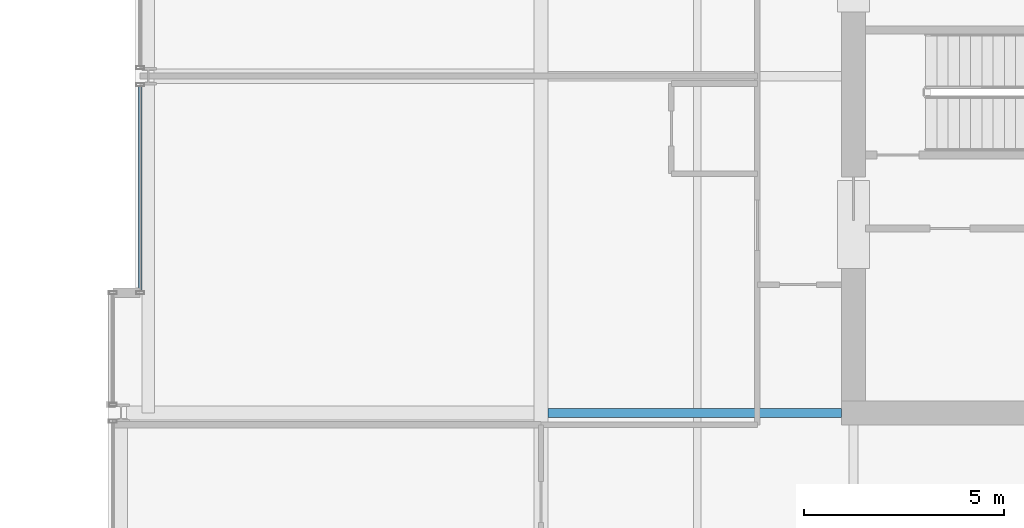
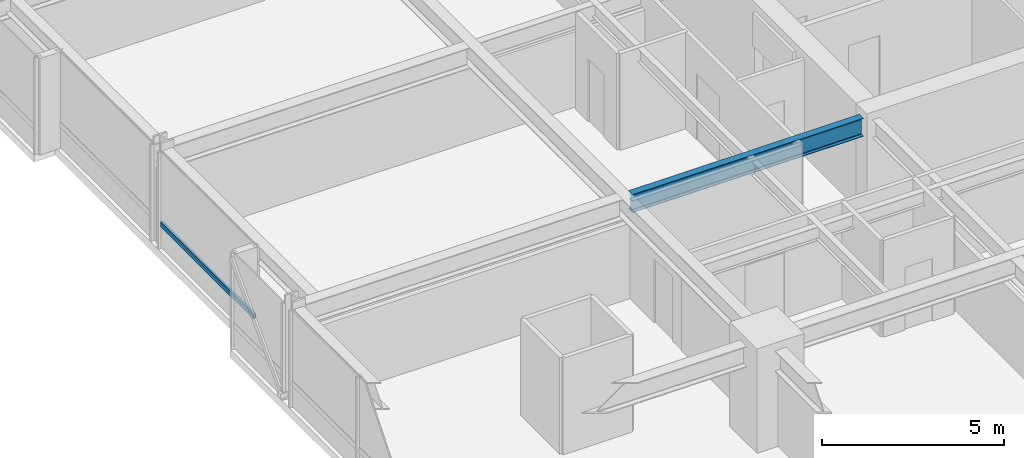
# One storey, part 8 of 34: 1 beam, 1 member, 1 element without a shape of its own.
"""IFC4 building model written with IfcOpenShell, lengths in metres."""

from ifc_helpers import new_model, si_unit, direction, frame, origin, origin_2d, place, context, subcontext, project, spatial, hollow_rectangle, i_section, extrude, material, layer, layer_set, material_profile, profile_set, type_object, element, aggregate, save


model = new_model("IFC4")

# Units and contexts
model_context = context("Model", 3, precision=1e-05, world=origin(), true_north=direction((0.0, 1.0)))
body_context = subcontext(model_context, "Body", "Model", "MODEL_VIEW")
ifc_project = project(units=[si_unit("LENGTHUNIT", "METRE"), si_unit("AREAUNIT", "SQUARE_METRE"), si_unit("VOLUMEUNIT", "CUBIC_METRE"), si_unit("PLANEANGLEUNIT", "RADIAN"), si_unit("MASSUNIT", "GRAM", prefix="KILO")], contexts=[model_context])

# Site, building, storey
site_placement = place(None, origin())
site = spatial("IfcSite", under=ifc_project, at=site_placement, CompositionType="ELEMENT")
building_placement = place(site_placement, origin())
building = spatial("IfcBuilding", under=site, at=building_placement, Name="Drelvath Grand Hotel", CompositionType="ELEMENT")
storey_placement = place(building_placement, frame((0.0, 0.0, 126.800048828125)))
storey = spatial("IfcBuildingStorey", under=building, at=storey_placement, Name="L32", CompositionType="ELEMENT", Elevation=126.800048828125)

# Curtain wall, member
ifc_material_1 = material(Name="Champagne Bronze Anodised Aluminium Frame", Category="aluminium")
ifc_layer = layer(ifc_material_1, 0.199951171875)
ifc_layer_set = layer_set([ifc_layer], Name="Champagne Bronze Anodised Aluminium Frame")
curtain_wall_type = type_object("IfcCurtainWallType", Name="Stick Curtain Wall CW-03 Champagne Bronze Mid-Rise", PredefinedType="NOTDEFINED", material=ifc_layer_set)
curtain_wall_placement = place(storey_placement, origin())
curtain_wall = element("IfcCurtainWall", 1, at=curtain_wall_placement, inside=storey, type_object=curtain_wall_type, Name="L32 CW-03 Curtain Wall CW03-L32-WM1", PredefinedType="NOTDEFINED")
ifc_material_profile_1 = material_profile(ifc_material_1, hollow_rectangle(XDim=0.074951171875, YDim=0.179931640625, WallThickness=0.0048828125, at=origin_2d()), Name="HSS180X75X5")
ifc_profile_set_1 = profile_set([ifc_material_profile_1], Name="Champagne Bronze Anodised Aluminium Frame")
member_type = type_object("IfcMemberType", Name="Curtain Wall Horizontal Transom CW-03 HSS180X75X5", PredefinedType="USERDEFINED", material=ifc_profile_set_1)
member_placement = place(storey_placement, frame((-26.199951171875, 21.639892578125, 0.81005859375), z_axis=(0.0, 1.0, 0.0), x_axis=(-1.0, 0.0, 0.0)))
member = element("IfcMember", 2, at=member_placement, type_object=member_type, Name="CW03-L32-WM1 Sill Transom", ObjectType="TRANSOM", PredefinedType="USERDEFINED", context=body_context, shape_type="SweptSolid", body=[
    extrude(hollow_rectangle(XDim=0.074951171875, YDim=0.179931640625, WallThickness=0.0048828125, at=origin_2d()), origin(), (0.0, 0.0, 1.0), 5.110595703125),
])
aggregate(curtain_wall, [member])

# Beam
ifc_material_2 = material(Name="Steel ASTM A992 Gr 50", Category="steel")
ifc_material_profile_2 = material_profile(ifc_material_2, i_section(OverallWidth=0.228271484375, OverallDepth=0.607666015625, WebThickness=0.01123046875, FlangeThickness=0.017333984375, FilletRadius=0.02001953125, at=origin_2d()), Name="W24X76")
ifc_profile_set_2 = profile_set([ifc_material_profile_2], Name="Steel ASTM A992 Gr 50")
beam_type = type_object("IfcBeamType", Name="Primary Floor Girder W24X76", PredefinedType="BEAM", material=ifc_profile_set_2)
beam_placement = place(storey_placement, frame((-16.022705078125, 18.60009765625, 2.93603515625), z_axis=(1.0, 0.0, 0.0), x_axis=(0.0, 1.0, 0.0)))
element("IfcBeam", 3, at=beam_placement, inside=storey, type_object=beam_type, Name="L32 West Core Tie D", PredefinedType="BEAM", context=body_context, shape_type="SweptSolid", body=[
    extrude(i_section(OverallWidth=0.228271484375, OverallDepth=0.607666015625, WebThickness=0.01123046875, FlangeThickness=0.017333984375, FilletRadius=0.02001953125, at=origin_2d()), origin(), (0.0, 0.0, 1.0), 7.32275390625),
])

save(model, "model.ifc")
